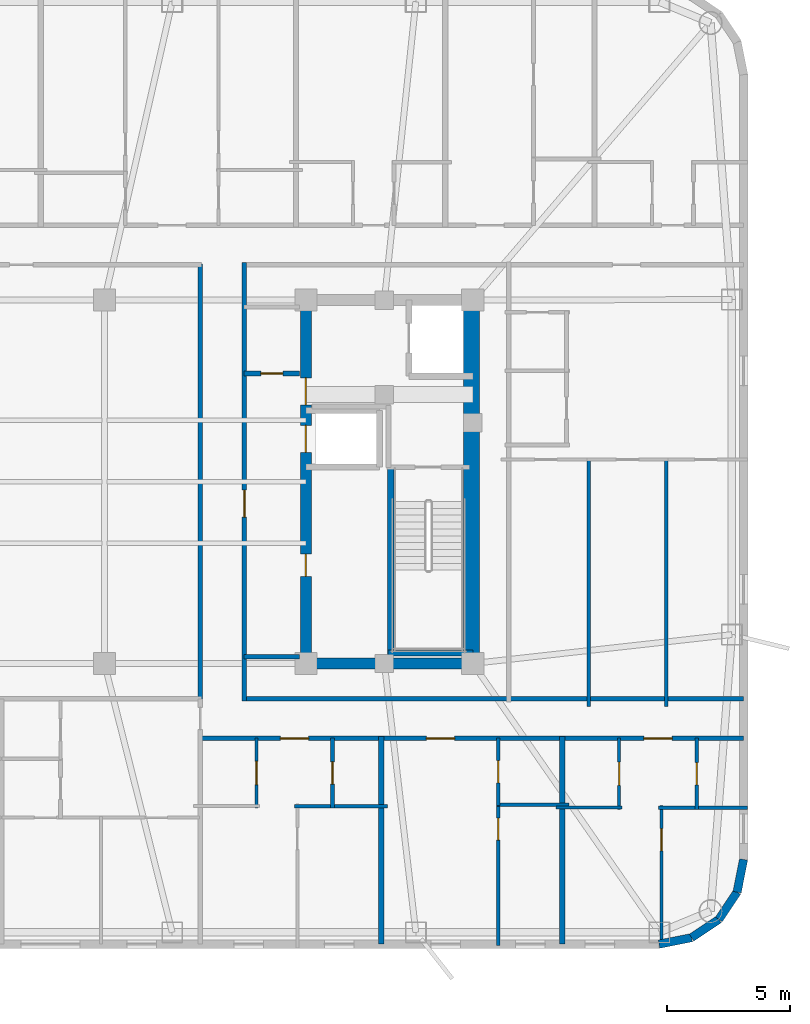
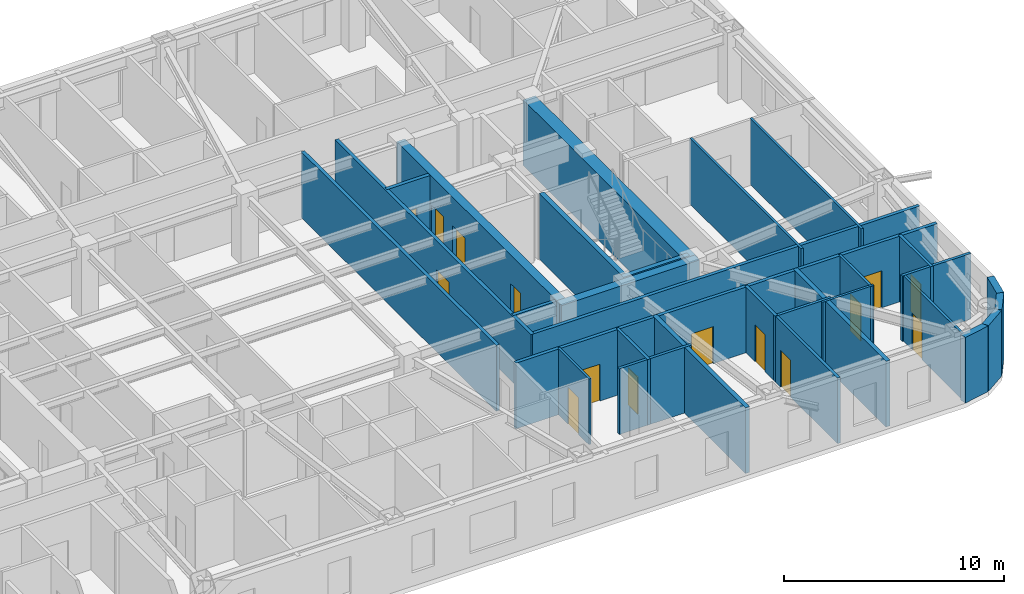
# One storey, part 6 of 11: 30 walls, 15 doors, 15 openings.
"""IFC4 building model written with IfcOpenShell, lengths in metres."""

from ifc_helpers import new_model, si_unit, direction, frame, frame_2d, origin, place, context, subcontext, project, spatial, rectangle, extrude, material, layer, layer_set, type_object, element, fill, save


model = new_model("IFC4")

# Units and contexts
model_context = context("Model", 3, precision=1e-05, world=origin(), true_north=direction((0.0, 1.0)))
body_context = subcontext(model_context, "Body", "Model", "MODEL_VIEW")
ifc_project = project(units=[si_unit("LENGTHUNIT", "METRE"), si_unit("AREAUNIT", "SQUARE_METRE"), si_unit("VOLUMEUNIT", "CUBIC_METRE"), si_unit("PLANEANGLEUNIT", "RADIAN"), si_unit("MASSUNIT", "GRAM", prefix="KILO")], contexts=[model_context])

# Site, building, storey
site_placement = place(None, origin())
site = spatial("IfcSite", under=ifc_project, at=site_placement, CompositionType="ELEMENT")
building_placement = place(site_placement, origin())
building = spatial("IfcBuilding", under=site, at=building_placement, Name="Voryun Gate Residences", CompositionType="ELEMENT")
storey_placement = place(building_placement, frame((0.0, 0.0, 227.5)))
storey = spatial("IfcBuildingStorey", under=building, at=storey_placement, Name="L56", CompositionType="ELEMENT", Elevation=227.5)

# Wall
ifc_material_1 = material(Name="Concrete C50/60", Category="concrete")
ifc_layer_1 = layer(ifc_material_1, 0.449951171875, Name="CW_CORE_450")
ifc_layer_set_1 = layer_set([ifc_layer_1], Name="Concrete C50/60")
wall_type_1 = type_object("IfcWallType", Name="CW_CORE_450", PredefinedType="SHEAR", material=ifc_layer_set_1)
wall_1_placement = place(storey_placement, frame((12.175048828125, -7.39990234375, 0.0), z_axis=(0.0, 0.0, 1.0), x_axis=(1.0, 0.0, 0.0)))
element("IfcWall", 1, at=wall_1_placement, inside=storey, type_object=wall_type_1, Name="L56 Core shear wall CW-L56-ES", PredefinedType="SHEAR", context=body_context, shape_type="SweptSolid", body=[
    extrude(rectangle(XDim=7.25, YDim=0.449951171875, at=frame_2d((3.625, 0.0))), origin(), (0.0, 0.0, 1.0), 3.64990234375),
])

# Wall, openings, doors
wall_2_placement = place(storey_placement, frame((12.39990234375, -7.39990234375, 0.0), z_axis=(0.0, 0.0, 1.0), x_axis=(0.0, 1.0, 0.0)))
wall_2 = element("IfcWall", 2, at=wall_2_placement, inside=storey, type_object=wall_type_1, Name="L56 Core shear wall CW-L56-EW", PredefinedType="SHEAR", context=body_context, shape_type="SweptSolid", body=[
    extrude(rectangle(XDim=14.7998046875, YDim=0.449951171875, at=frame_2d((7.39990234375, 0.0))), origin(), (0.0, 0.0, 1.0), 3.64990234375),
])
opening_1_placement = place(wall_2_placement, frame((8.60009765625, 0.0, 0.0)))
opening_1 = element("IfcOpeningElement", 3, at=opening_1_placement, cuts=wall_2, Name="Opening LD2", PredefinedType="OPENING", context=body_context, shape_type="SweptSolid", body=[
    extrude(rectangle(XDim=1.10009765625, YDim=2.050048828125, at=frame_2d((0.550048828125, 1.02490234375))), frame((0.0, 0.235107421875, 0.0), z_axis=(0.0, -1.0, 0.0), x_axis=(1.0, 0.0, 0.0)), (0.0, 0.0, 1.0), 0.469970703125),
])
opening_2_placement = place(wall_2_placement, frame((10.530029296875, 0.0, 0.0)))
opening_2 = element("IfcOpeningElement", 4, at=opening_2_placement, cuts=wall_2, Name="Opening D-FD60-2", PredefinedType="OPENING", context=body_context, shape_type="SweptSolid", body=[
    extrude(rectangle(XDim=1.10009765625, YDim=2.050048828125, at=frame_2d((0.550048828125, 1.02490234375))), frame((0.0, 0.235107421875, 0.0), z_axis=(0.0, -1.0, 0.0), x_axis=(1.0, 0.0, 0.0)), (0.0, 0.0, 1.0), 0.469970703125),
])
opening_3_placement = place(wall_2_placement, frame((3.550048828125, 0.0, 0.0)))
opening_3 = element("IfcOpeningElement", 5, at=opening_3_placement, cuts=wall_2, Name="Opening D-FD60-4", PredefinedType="OPENING", context=body_context, shape_type="SweptSolid", body=[
    extrude(rectangle(XDim=0.89990234375, YDim=2.050048828125, at=frame_2d((0.449951171875, 1.02490234375))), frame((0.0, 0.235107421875, 0.0), z_axis=(0.0, -1.0, 0.0), x_axis=(1.0, 0.0, 0.0)), (0.0, 0.0, 1.0), 0.469970703125),
])
ifc_material_2 = material(Name="Painted steel fire door", Category="steel")
door_type_1 = type_object("IfcDoorType", Name="DR_FD60_FFLOB_1100", OperationType="NOTDEFINED", PredefinedType="DOOR", material=ifc_material_2)
door_1_placement = place(opening_2_placement, origin())
door_1 = element("IfcDoor", 6, at=door_1_placement, inside=storey, type_object=door_type_1, Name="Door DR-L56-CLOB-E", OperationType="SINGLE_SWING_RIGHT", OverallHeight=2.050048828125, OverallWidth=1.10009765625, PredefinedType="DOOR", context=body_context, shape_type="SweptSolid", body=[
    extrude(rectangle(XDim=1.10009765625, YDim=2.050048828125, at=frame_2d((0.550048828125, 1.02490234375))), frame((0.0, 0.02490234375, 0.0), z_axis=(0.0, -1.0, 0.0), x_axis=(1.0, 0.0, 0.0)), (0.0, 0.0, 1.0), 0.050048828125),
])
fill(opening_2, door_1)
ifc_material_3 = material(Name="Painted steel fire door", Category="steel")
door_type_2 = type_object("IfcDoorType", Name="DR_FD60_RISER_900", OperationType="NOTDEFINED", PredefinedType="DOOR", material=ifc_material_3)
door_2_placement = place(opening_3_placement, origin())
door_2 = element("IfcDoor", 7, at=door_2_placement, inside=storey, type_object=door_type_2, Name="Door DR-L56-RECE-HI", OperationType="SINGLE_SWING_RIGHT", OverallHeight=2.050048828125, OverallWidth=0.89990234375, PredefinedType="DOOR", context=body_context, shape_type="SweptSolid", body=[
    extrude(rectangle(XDim=0.89990234375, YDim=2.050048828125, at=frame_2d((0.449951171875, 1.02490234375))), frame((0.0, 0.02490234375, 0.0), z_axis=(0.0, -1.0, 0.0), x_axis=(1.0, 0.0, 0.0)), (0.0, 0.0, 1.0), 0.050048828125),
])
fill(opening_3, door_2)
ifc_material_4 = material(Name="Anodised aluminium", Category="aluminium")
door_type_3 = type_object("IfcDoorType", Name="DR_LD_PASS_1100", OperationType="NOTDEFINED", PredefinedType="DOOR", material=ifc_material_4)
door_3_placement = place(opening_1_placement, origin())
door_3 = element("IfcDoor", 8, at=door_3_placement, inside=storey, type_object=door_type_3, Name="Lift EL-P8 sliding landing door L56", OperationType="SLIDING_TO_LEFT", OverallHeight=2.050048828125, OverallWidth=1.10009765625, PredefinedType="DOOR", context=body_context, shape_type="SweptSolid", body=[
    extrude(rectangle(XDim=1.10009765625, YDim=2.050048828125, at=frame_2d((0.550048828125, 1.02490234375))), frame((0.0, 0.02490234375, 0.0), z_axis=(0.0, -1.0, 0.0), x_axis=(1.0, 0.0, 0.0)), (0.0, 0.0, 1.0), 0.050048828125),
])
fill(opening_1, door_3)

# Walls
ifc_material_5 = material(Name="Concrete C60/75", Category="concrete")
ifc_layer_2 = layer(ifc_material_5, 0.64990234375, Name="CW_CORE_650")
ifc_layer_set_2 = layer_set([ifc_layer_2], Name="Concrete C60/75")
wall_type_2 = type_object("IfcWallType", Name="CW_CORE_650", PredefinedType="SHEAR", material=ifc_layer_set_2)
wall_3_placement = place(storey_placement, frame((19.14501953125, -7.39990234375, 0.0), z_axis=(0.0, 0.0, 1.0), x_axis=(0.0, 1.0, 0.0)))
element("IfcWall", 9, at=wall_3_placement, inside=storey, type_object=wall_type_2, Name="L56 Core shear wall CW-L56-EE", PredefinedType="SHEAR", context=body_context, shape_type="SweptSolid", body=[
    extrude(rectangle(XDim=14.7998046875, YDim=0.64990234375, at=frame_2d((7.39990234375, 0.0))), origin(), (0.0, 0.0, 1.0), 3.64990234375),
])
ifc_material_6 = material(Name="Gypsum acoustic fireboard")
ifc_layer_3 = layer(ifc_material_6, 0.179931640625, Name="W_CORR_RATED_180")
ifc_layer_set_3 = layer_set([ifc_layer_3], Name="Gypsum acoustic fireboard")
wall_type_3 = type_object("IfcWallType", Name="W_CORR_RATED_180", PredefinedType="PARTITIONING", material=ifc_layer_set_3)
wall_4_placement = place(storey_placement, frame((9.8798828125, -7.1201171875, 0.0), z_axis=(0.0, 0.0, 1.0), x_axis=(1.0, 0.0, 0.0)))
element("IfcWall", 10, at=wall_4_placement, inside=storey, type_object=wall_type_3, Name="Partition wall WP-L56-PLBS-E", PredefinedType="PARTITIONING", context=body_context, shape_type="SweptSolid", body=[
    extrude(rectangle(XDim=2.27001953125, YDim=0.179931640625, at=frame_2d((1.135009765625, 0.0))), origin(), (0.0, 0.0, 1.0), 3.64990234375),
])

# Wall, opening, door
wall_5_placement = place(storey_placement, frame((9.89990234375, -8.929931640625, 0.0), z_axis=(0.0, 0.0, 1.0), x_axis=(0.0, 1.0, 0.0)))
wall_5 = element("IfcWall", 11, at=wall_5_placement, inside=storey, type_object=wall_type_3, Name="Partition wall WP-L56-PLBE-FULL", PredefinedType="PARTITIONING", context=body_context, shape_type="SweptSolid", body=[
    extrude(rectangle(XDim=17.85986328125, YDim=0.179931640625, at=frame_2d((8.929931640625, 0.0))), origin(), (0.0, 0.0, 1.0), 3.64990234375),
])
opening_4_placement = place(wall_5_placement, frame((7.487060546875, 0.0, 0.0)))
opening_4 = element("IfcOpeningElement", 12, at=opening_4_placement, cuts=wall_5, Name="Opening D-FD60-2", PredefinedType="OPENING", context=body_context, shape_type="SweptSolid", body=[
    extrude(rectangle(XDim=1.10009765625, YDim=2.050048828125, at=frame_2d((0.550048828125, 1.02490234375))), frame((0.0, 0.099853515625, 0.0), z_axis=(0.0, -1.0, 0.0), x_axis=(1.0, 0.0, 0.0)), (0.0, 0.0, 1.0), 0.199951171875),
])
door_4_placement = place(opening_4_placement, origin())
door_4 = element("IfcDoor", 13, at=door_4_placement, inside=storey, type_object=door_type_1, Name="Door DR-L56-PLBE-COR", OperationType="SINGLE_SWING_RIGHT", OverallHeight=2.050048828125, OverallWidth=1.10009765625, PredefinedType="DOOR", context=body_context, shape_type="SweptSolid", body=[
    extrude(rectangle(XDim=1.10009765625, YDim=2.050048828125, at=frame_2d((0.550048828125, 1.02490234375))), frame((0.0, 0.02490234375, 0.0), z_axis=(0.0, -1.0, 0.0), x_axis=(1.0, 0.0, 0.0)), (0.0, 0.0, 1.0), 0.050048828125),
])
fill(opening_4, door_4)

# Walls
wall_6_placement = place(storey_placement, frame((9.8798828125, -8.840087890625, 0.0), z_axis=(0.0, 0.0, 1.0), x_axis=(1.0, 0.0, 0.0)))
element("IfcWall", 14, at=wall_6_placement, inside=storey, type_object=wall_type_3, Name="Partition wall WP-L56-CWING-ES", PredefinedType="PARTITIONING", context=body_context, shape_type="SweptSolid", body=[
    extrude(rectangle(XDim=20.35009765625, YDim=0.179931640625, at=frame_2d((10.175048828125, 0.0))), origin(), (0.0, 0.0, 1.0), 3.64990234375),
])
wall_7_placement = place(storey_placement, frame((8.10009765625, -8.8798828125, 0.0), z_axis=(0.0, 0.0, 1.0), x_axis=(0.0, 1.0, 0.0)))
element("IfcWall", 15, at=wall_7_placement, inside=storey, type_object=wall_type_3, Name="Partition wall WP-L56-Z3E", PredefinedType="PARTITIONING", context=body_context, shape_type="SweptSolid", body=[
    extrude(rectangle(XDim=17.759765625, YDim=0.179931640625, at=frame_2d((8.8798828125, 0.0))), origin(), (0.0, 0.0, 1.0), 3.64990234375),
])

# Wall, openings, doors
wall_8_placement = place(storey_placement, frame((8.080078125, -10.449951171875, 0.0), z_axis=(0.0, 0.0, 1.0), x_axis=(1.0, 0.0, 0.0)))
wall_8 = element("IfcWall", 16, at=wall_8_placement, inside=storey, type_object=wall_type_3, Name="Partition wall WP-L56-SCORR-E", PredefinedType="PARTITIONING", context=body_context, shape_type="SweptSolid", body=[
    extrude(rectangle(XDim=22.14990234375, YDim=0.179931640625, at=frame_2d((11.074951171875, 0.0))), origin(), (0.0, 0.0, 1.0), 3.64990234375),
])
opening_5_placement = place(wall_8_placement, frame((3.283447265625, 0.0, 0.0)))
opening_5 = element("IfcOpeningElement", 17, at=opening_5_placement, cuts=wall_8, Name="Opening D-UNIT-1", PredefinedType="OPENING", context=body_context, shape_type="SweptSolid", body=[
    extrude(rectangle(XDim=1.14990234375, YDim=2.050048828125, at=frame_2d((0.574951171875, 1.02490234375))), frame((0.0, 0.099853515625, 0.0), z_axis=(0.0, -1.0, 0.0), x_axis=(1.0, 0.0, 0.0)), (0.0, 0.0, 1.0), 0.199951171875),
])
opening_6_placement = place(wall_8_placement, frame((9.228515625, 0.0, 0.0)))
opening_6 = element("IfcOpeningElement", 18, at=opening_6_placement, cuts=wall_8, Name="Opening D-UNIT-1", PredefinedType="OPENING", context=body_context, shape_type="SweptSolid", body=[
    extrude(rectangle(XDim=1.14990234375, YDim=2.050048828125, at=frame_2d((0.574951171875, 1.02490234375))), frame((0.0, 0.099853515625, 0.0), z_axis=(0.0, -1.0, 0.0), x_axis=(1.0, 0.0, 0.0)), (0.0, 0.0, 1.0), 0.199951171875),
])
opening_7_placement = place(wall_8_placement, frame((18.084228515625, 0.0, 0.0)))
opening_7 = element("IfcOpeningElement", 19, at=opening_7_placement, cuts=wall_8, Name="Opening D-UNIT-1", PredefinedType="OPENING", context=body_context, shape_type="SweptSolid", body=[
    extrude(rectangle(XDim=1.14990234375, YDim=2.050048828125, at=frame_2d((0.574951171875, 1.02490234375))), frame((0.0, 0.099853515625, 0.0), z_axis=(0.0, -1.0, 0.0), x_axis=(1.0, 0.0, 0.0)), (0.0, 0.0, 1.0), 0.199951171875),
])
ifc_material_7 = material(Name="Armoured timber-clad fire door", Category="wood")
door_type_4 = type_object("IfcDoorType", Name="DR_UNIT_ENTRY_1150", OperationType="NOTDEFINED", PredefinedType="DOOR", material=ifc_material_7)
door_5_placement = place(opening_5_placement, origin())
door_5 = element("IfcDoor", 20, at=door_5_placement, inside=storey, type_object=door_type_4, Name="Door DR-L56-SENT-5", OperationType="SINGLE_SWING_RIGHT", OverallHeight=2.050048828125, OverallWidth=1.14990234375, PredefinedType="DOOR", context=body_context, shape_type="SweptSolid", body=[
    extrude(rectangle(XDim=1.14990234375, YDim=2.050048828125, at=frame_2d((0.574951171875, 1.02490234375))), frame((0.0, 0.02490234375, 0.0), z_axis=(0.0, -1.0, 0.0), x_axis=(1.0, 0.0, 0.0)), (0.0, 0.0, 1.0), 0.050048828125),
])
fill(opening_5, door_5)
door_6_placement = place(opening_6_placement, origin())
door_6 = element("IfcDoor", 21, at=door_6_placement, inside=storey, type_object=door_type_4, Name="Door DR-L56-SENT-6", OperationType="SINGLE_SWING_LEFT", OverallHeight=2.050048828125, OverallWidth=1.14990234375, PredefinedType="DOOR", context=body_context, shape_type="SweptSolid", body=[
    extrude(rectangle(XDim=1.14990234375, YDim=2.050048828125, at=frame_2d((0.574951171875, 1.02490234375))), frame((0.0, 0.02490234375, 0.0), z_axis=(0.0, -1.0, 0.0), x_axis=(1.0, 0.0, 0.0)), (0.0, 0.0, 1.0), 0.050048828125),
])
fill(opening_6, door_6)
door_7_placement = place(opening_7_placement, origin())
door_7 = element("IfcDoor", 22, at=door_7_placement, inside=storey, type_object=door_type_4, Name="Door DR-L56-SENT-7", OperationType="SINGLE_SWING_RIGHT", OverallHeight=2.050048828125, OverallWidth=1.14990234375, PredefinedType="DOOR", context=body_context, shape_type="SweptSolid", body=[
    extrude(rectangle(XDim=1.14990234375, YDim=2.050048828125, at=frame_2d((0.574951171875, 1.02490234375))), frame((0.0, 0.02490234375, 0.0), z_axis=(0.0, -1.0, 0.0), x_axis=(1.0, 0.0, 0.0)), (0.0, 0.0, 1.0), 0.050048828125),
])
fill(opening_7, door_7)

# Walls
ifc_material_8 = material(Name="Charcoal terracotta masonry", Category="masonry")
ifc_layer_4 = layer(ifc_material_8, 0.340087890625, Name="W_EXT_TERRACOTTA_340")
ifc_layer_set_4 = layer_set([ifc_layer_4], Name="Charcoal terracotta masonry")
wall_type_4 = type_object("IfcWallType", Name="W_EXT_TERRACOTTA_340", PredefinedType="ELEMENTEDWALL", material=ifc_layer_set_4)
wall_9_placement = place(storey_placement, frame((30.22998046875, -15.38330078125, 0.0), z_axis=(0.0, 0.0, 1.0), x_axis=(-0.195110379894, -0.98078129043, 0.0)))
element("IfcWall", 23, at=wall_9_placement, inside=storey, type_object=wall_type_4, Name="Exterior wall WEXT-L56-17", PredefinedType="ELEMENTEDWALL", context=body_context, shape_type="SweptSolid", body=[
    extrude(rectangle(XDim=1.35400390625, YDim=0.340087890625, at=frame_2d((0.677001953125, 0.0))), origin(), (0.0, 0.0, 1.0), 3.64990234375),
])
wall_10_placement = place(storey_placement, frame((29.9658203125, -16.711181640625, 0.0), z_axis=(0.0, 0.0, 1.0), x_axis=(-0.555584683399, -0.831459956686, 0.0)))
element("IfcWall", 24, at=wall_10_placement, inside=storey, type_object=wall_type_4, Name="Exterior wall WEXT-L56-18", PredefinedType="ELEMENTEDWALL", context=body_context, shape_type="SweptSolid", body=[
    extrude(rectangle(XDim=1.337158203125, YDim=0.340087890625, at=frame_2d((0.66845703125, 0.0))), origin(), (0.0, 0.0, 1.0), 3.64990234375),
])
wall_11_placement = place(storey_placement, frame((29.222900390625, -17.822998046875, 0.0), z_axis=(0.0, 0.0, 1.0), x_axis=(-0.831403586725, -0.555669034571, 0.0)))
element("IfcWall", 25, at=wall_11_placement, inside=storey, type_object=wall_type_4, Name="Exterior wall WEXT-L56-19", PredefinedType="ELEMENTEDWALL", context=body_context, shape_type="SweptSolid", body=[
    extrude(rectangle(XDim=1.3369140625, YDim=0.340087890625, at=frame_2d((0.66845703125, 0.0))), origin(), (0.0, 0.0, 1.0), 3.64990234375),
])
wall_12_placement = place(storey_placement, frame((28.111328125, -18.56591796875, 0.0), z_axis=(0.0, 0.0, 1.0), x_axis=(-0.980788153188, -0.195075878998, 0.0)))
element("IfcWall", 26, at=wall_12_placement, inside=storey, type_object=wall_type_4, Name="Exterior wall WEXT-L56-20", PredefinedType="ELEMENTEDWALL", context=body_context, shape_type="SweptSolid", body=[
    extrude(rectangle(XDim=1.354248046875, YDim=0.340087890625, at=frame_2d((0.67724609375, 0.0))), origin(), (0.0, 0.0, 1.0), 3.64990234375),
])

# Wall, opening, door
ifc_material_9 = material(Name="Concrete C40/50", Category="concrete")
ifc_layer_5 = layer(ifc_material_9, 0.199951171875, Name="W_FF_LOBBY_200")
ifc_layer_set_5 = layer_set([ifc_layer_5], Name="Concrete C40/50")
wall_type_5 = type_object("IfcWallType", Name="W_FF_LOBBY_200", PredefinedType="PARTITIONING", material=ifc_layer_set_5)
wall_13_placement = place(storey_placement, frame((9.8798828125, 4.409912109375, 0.0), z_axis=(0.0, 0.0, 1.0), x_axis=(1.0, 0.0, 0.0)))
wall_13 = element("IfcWall", 27, at=wall_13_placement, inside=storey, type_object=wall_type_5, Name="Partition wall WP-L56-CSFLKS-E", PredefinedType="PARTITIONING", context=body_context, shape_type="SweptSolid", body=[
    extrude(rectangle(XDim=2.27001953125, YDim=0.199951171875, at=frame_2d((1.135009765625, 0.0))), origin(), (0.0, 0.0, 1.0), 3.64990234375),
])
opening_8_placement = place(wall_13_placement, frame((0.68505859375, 0.0, 0.0)))
opening_8 = element("IfcOpeningElement", 28, at=opening_8_placement, cuts=wall_13, Name="Opening D-FD60-4", PredefinedType="OPENING", context=body_context, shape_type="SweptSolid", body=[
    extrude(rectangle(XDim=0.89990234375, YDim=2.050048828125, at=frame_2d((0.449951171875, 1.02490234375))), frame((0.0, 0.110107421875, 0.0), z_axis=(0.0, -1.0, 0.0), x_axis=(1.0, 0.0, 0.0)), (0.0, 0.0, 1.0), 0.219970703125),
])
door_8_placement = place(opening_8_placement, origin())
door_8 = element("IfcDoor", 29, at=door_8_placement, inside=storey, type_object=door_type_2, Name="Door DR-L56-CSFLK-E", OperationType="SINGLE_SWING_RIGHT", OverallHeight=2.050048828125, OverallWidth=0.89990234375, PredefinedType="DOOR", context=body_context, shape_type="SweptSolid", body=[
    extrude(rectangle(XDim=0.89990234375, YDim=2.050048828125, at=frame_2d((0.449951171875, 1.02490234375))), frame((0.0, 0.02490234375, 0.0), z_axis=(0.0, -1.0, 0.0), x_axis=(1.0, 0.0, 0.0)), (0.0, 0.0, 1.0), 0.050048828125),
])
fill(opening_8, door_8)

# Walls
ifc_material_10 = material(Name="Concrete C40/50", Category="concrete")
ifc_layer_6 = layer(ifc_material_10, 0.219970703125, Name="W_PARTY_ACOUSTIC_220")
ifc_layer_set_6 = layer_set([ifc_layer_6], Name="Concrete C40/50")
wall_type_6 = type_object("IfcWallType", Name="W_PARTY_ACOUSTIC_220", PredefinedType="PARTITIONING", material=ifc_layer_set_6)
for number, where, z_axis, x_axis, name in (
    (30, (15.466064453125, -18.830078125, 0.0), (0.0, 0.0, 1.0), (0.0, 1.0, 0.0), "Partition wall WP-L56-SPTY-5"),
    (31, (22.85107421875, -18.830078125, 0.0), (0.0, 0.0, 1.0), (0.0, 1.0, 0.0), "Partition wall WP-L56-SPTY-6"),
):
    element("IfcWall", number, at=place(storey_placement, frame(where, z_axis=z_axis, x_axis=x_axis)), inside=storey, type_object=wall_type_6, Name=name, PredefinedType="PARTITIONING", context=body_context, shape_type="SweptSolid", body=[
        extrude(rectangle(XDim=8.4599609375, YDim=0.219970703125, at=frame_2d((4.22998046875, 0.0))), origin(), (0.0, 0.0, 1.0), 3.64990234375),
    ])
ifc_material_11 = material(Name="Concrete C50/60", Category="concrete")
ifc_layer_7 = layer(ifc_material_11, 0.25, Name="W_SHAFT_RC250")
ifc_layer_set_7 = layer_set([ifc_layer_7], Name="Concrete C50/60")
wall_type_7 = type_object("IfcWallType", Name="W_SHAFT_RC250", PredefinedType="SOLIDWALL", material=ifc_layer_set_7)
wall_14_placement = place(storey_placement, frame((15.860107421875, -7.0849609375, 0.0), z_axis=(0.0, 0.0, 1.0), x_axis=(0.0, 1.0, 0.0)))
element("IfcWall", 32, at=wall_14_placement, inside=storey, type_object=wall_type_7, Name="L56 Stair shaft structural wall E-STL", PredefinedType="SOLIDWALL", context=body_context, shape_type="SweptSolid", body=[
    extrude(rectangle(XDim=7.68505859375, YDim=0.25, at=frame_2d((3.842529296875, 0.0))), origin(), (0.0, 0.0, 1.0), 3.64990234375),
])
wall_15_placement = place(storey_placement, frame((15.739990234375, -6.965087890625, 0.0), z_axis=(0.0, 0.0, 1.0), x_axis=(1.0, 0.0, 0.0)))
element("IfcWall", 33, at=wall_15_placement, inside=storey, type_object=wall_type_7, Name="L56 Stair shaft structural wall E-STS", PredefinedType="SOLIDWALL", context=body_context, shape_type="SweptSolid", body=[
    extrude(rectangle(XDim=3.4599609375, YDim=0.25, at=frame_2d((1.72998046875, 0.0))), origin(), (0.0, 0.0, 1.0), 3.64990234375),
])

# Wall, opening, door
ifc_material_12 = material(Name="Gypsum acoustic partition")
ifc_layer_8 = layer(ifc_material_12, 0.125, Name="W_UNIT_PART_125")
ifc_layer_set_8 = layer_set([ifc_layer_8], Name="Gypsum acoustic partition")
wall_type_8 = type_object("IfcWallType", Name="W_UNIT_PART_125", PredefinedType="PARTITIONING", material=ifc_layer_set_8)
wall_16_placement = place(storey_placement, frame((10.389892578125, -13.2900390625, 0.0), z_axis=(0.0, 0.0, 1.0), x_axis=(0.0, 1.0, 0.0)))
wall_16 = element("IfcWall", 34, at=wall_16_placement, inside=storey, type_object=wall_type_8, Name="Partition wall WP-L56-S5-IVK", PredefinedType="PARTITIONING", context=body_context, shape_type="SweptSolid", body=[
    extrude(rectangle(XDim=2.860107421875, YDim=0.125, at=frame_2d((1.43017578125, 0.0))), origin(), (0.0, 0.0, 1.0), 3.64990234375),
])
opening_9_placement = place(wall_16_placement, frame((0.955078125, 0.0, 0.0)))
opening_9 = element("IfcOpeningElement", 35, at=opening_9_placement, cuts=wall_16, Name="Opening D-INT-1", PredefinedType="OPENING", context=body_context, shape_type="SweptSolid", body=[
    extrude(rectangle(XDim=0.949951171875, YDim=2.050048828125, at=frame_2d((0.47509765625, 1.02490234375))), frame((0.0, 0.072509765625, 0.0), z_axis=(0.0, -1.0, 0.0), x_axis=(1.0, 0.0, 0.0)), (0.0, 0.0, 1.0), 0.14501953125),
])
ifc_material_13 = material(Name="Architectural oak veneer")
door_type_5 = type_object("IfcDoorType", Name="DR_INT_ROOM_950", OperationType="NOTDEFINED", PredefinedType="DOOR", material=ifc_material_13)
door_9_placement = place(opening_9_placement, origin())
door_9 = element("IfcDoor", 36, at=door_9_placement, inside=storey, type_object=door_type_5, Name="Door DR-L56-S5-DK", OperationType="SINGLE_SWING_LEFT", OverallHeight=2.050048828125, OverallWidth=0.949951171875, PredefinedType="DOOR", context=body_context, shape_type="SweptSolid", body=[
    extrude(rectangle(XDim=0.949951171875, YDim=2.050048828125, at=frame_2d((0.47509765625, 1.02490234375))), frame((0.0, 0.02490234375, 0.0), z_axis=(0.0, -1.0, 0.0), x_axis=(1.0, 0.0, 0.0)), (0.0, 0.0, 1.0), 0.050048828125),
])
fill(opening_9, door_9)

wall_17_placement = place(storey_placement, frame((26.886962890625, -18.96240234375, 0.0), z_axis=(0.0, 0.0, 1.0), x_axis=(0.0, 1.0, 0.0)))
wall_17 = element("IfcWall", 37, at=wall_17_placement, inside=storey, type_object=wall_type_8, Name="Partition wall WP-L56-S7-OVR", PredefinedType="PARTITIONING", context=body_context, shape_type="SweptSolid", body=[
    extrude(rectangle(XDim=5.769287109375, YDim=0.125, at=frame_2d((2.884765625, 0.0))), origin(), (0.0, 0.0, 1.0), 3.64990234375),
])
opening_10_placement = place(wall_17_placement, frame((3.934814453125, 0.0, 0.0)))
opening_10 = element("IfcOpeningElement", 38, at=opening_10_placement, cuts=wall_17, Name="Opening D-INT-2", PredefinedType="OPENING", context=body_context, shape_type="SweptSolid", body=[
    extrude(rectangle(XDim=0.89990234375, YDim=2.050048828125, at=frame_2d((0.449951171875, 1.02490234375))), frame((0.0, 0.072509765625, 0.0), z_axis=(0.0, -1.0, 0.0), x_axis=(1.0, 0.0, 0.0)), (0.0, 0.0, 1.0), 0.14501953125),
])
ifc_material_14 = material(Name="Architectural oak veneer")
door_type_6 = type_object("IfcDoorType", Name="DR_INT_BATH_900", OperationType="NOTDEFINED", PredefinedType="DOOR", material=ifc_material_14)
door_10_placement = place(opening_10_placement, origin())
door_10 = element("IfcDoor", 39, at=door_10_placement, inside=storey, type_object=door_type_6, Name="Door DR-L56-S7-DMB", OperationType="SINGLE_SWING_RIGHT", OverallHeight=2.050048828125, OverallWidth=0.89990234375, PredefinedType="DOOR", context=body_context, shape_type="SweptSolid", body=[
    extrude(rectangle(XDim=0.89990234375, YDim=2.050048828125, at=frame_2d((0.449951171875, 1.02490234375))), frame((0.0, 0.02490234375, 0.0), z_axis=(0.0, -1.0, 0.0), x_axis=(1.0, 0.0, 0.0)), (0.0, 0.0, 1.0), 0.050048828125),
])
fill(opening_10, door_10)

wall_18_placement = place(storey_placement, frame((25.160888671875, -13.35302734375, 0.0), z_axis=(0.0, 0.0, 1.0), x_axis=(0.0, 1.0, 0.0)))
wall_18 = element("IfcWall", 40, at=wall_18_placement, inside=storey, type_object=wall_type_8, Name="Partition wall WP-L56-S7-IVK", PredefinedType="PARTITIONING", context=body_context, shape_type="SweptSolid", body=[
    extrude(rectangle(XDim=2.923095703125, YDim=0.125, at=frame_2d((1.46142578125, 0.0))), origin(), (0.0, 0.0, 1.0), 3.64990234375),
])
opening_11_placement = place(wall_18_placement, frame((0.986572265625, 0.0, 0.0)))
opening_11 = element("IfcOpeningElement", 41, at=opening_11_placement, cuts=wall_18, Name="Opening D-INT-1", PredefinedType="OPENING", context=body_context, shape_type="SweptSolid", body=[
    extrude(rectangle(XDim=0.949951171875, YDim=2.050048828125, at=frame_2d((0.47509765625, 1.02490234375))), frame((0.0, 0.072509765625, 0.0), z_axis=(0.0, -1.0, 0.0), x_axis=(1.0, 0.0, 0.0)), (0.0, 0.0, 1.0), 0.14501953125),
])
door_11_placement = place(opening_11_placement, origin())
door_11 = element("IfcDoor", 42, at=door_11_placement, inside=storey, type_object=door_type_5, Name="Door DR-L56-S7-DK", OperationType="SINGLE_SWING_LEFT", OverallHeight=2.050048828125, OverallWidth=0.949951171875, PredefinedType="DOOR", context=body_context, shape_type="SweptSolid", body=[
    extrude(rectangle(XDim=0.949951171875, YDim=2.050048828125, at=frame_2d((0.47509765625, 1.02490234375))), frame((0.0, 0.02490234375, 0.0), z_axis=(0.0, -1.0, 0.0), x_axis=(1.0, 0.0, 0.0)), (0.0, 0.0, 1.0), 0.050048828125),
])
fill(opening_11, door_11)

# Walls
wall_19_placement = place(storey_placement, frame((22.591064453125, -13.27294921875, 0.0), z_axis=(0.0, 0.0, 1.0), x_axis=(1.0, 0.0, 0.0)))
element("IfcWall", 43, at=wall_19_placement, inside=storey, type_object=wall_type_8, Name="Partition wall WP-L56-S7-HZK", PredefinedType="PARTITIONING", context=body_context, shape_type="SweptSolid", body=[
    extrude(rectangle(XDim=2.68994140625, YDim=0.125, at=frame_2d((1.344970703125, 0.0))), origin(), (0.0, 0.0, 1.0), 3.64990234375),
])
for number, where, z_axis, x_axis, name in (
    (44, (27.080078125, -9.159912109375, 0.0), (0.0, 0.0, 1.0), (0.0, 1.0, 0.0), "Partition wall WP-L56-E1-VMB2"),
    (45, (23.923095703125, -9.159912109375, 0.0), (0.0, 0.0, 1.0), (0.0, 1.0, 0.0), "Partition wall WP-L56-E1-VMB"),
):
    element("IfcWall", number, at=place(storey_placement, frame(where, z_axis=z_axis, x_axis=x_axis)), inside=storey, type_object=wall_type_8, Name=name, PredefinedType="PARTITIONING", context=body_context, shape_type="SweptSolid", body=[
        extrude(rectangle(XDim=10.1298828125, YDim=0.125, at=frame_2d((5.06494140625, 0.0))), origin(), (0.0, 0.0, 1.0), 3.64990234375),
    ])
ifc_material_15 = material(Name="Gypsum moisture-resistant partition")
ifc_layer_9 = layer(ifc_material_15, 0.14990234375, Name="W_WET_PLUMB_150")
ifc_layer_set_9 = layer_set([ifc_layer_9], Name="Gypsum moisture-resistant partition")
wall_type_9 = type_object("IfcWallType", Name="W_WET_PLUMB_150", PredefinedType="PLUMBINGWALL", material=ifc_layer_set_9)
wall_20_placement = place(storey_placement, frame((11.93603515625, -13.2099609375, 0.0), z_axis=(0.0, 0.0, 1.0), x_axis=(1.0, 0.0, 0.0)))
element("IfcWall", 46, at=wall_20_placement, inside=storey, type_object=wall_type_9, Name="Partition wall WP-L56-S5-HZB", PredefinedType="PLUMBINGWALL", context=body_context, shape_type="SweptSolid", body=[
    extrude(rectangle(XDim=3.7900390625, YDim=0.14990234375, at=frame_2d((1.89501953125, 0.0))), origin(), (0.0, 0.0, 1.0), 3.64990234375),
])

# Wall, opening, door
wall_21_placement = place(storey_placement, frame((13.486083984375, -13.2900390625, 0.0), z_axis=(0.0, 0.0, 1.0), x_axis=(0.0, 1.0, 0.0)))
wall_21 = element("IfcWall", 47, at=wall_21_placement, inside=storey, type_object=wall_type_9, Name="Partition wall WP-L56-S5-IVB", PredefinedType="PLUMBINGWALL", context=body_context, shape_type="SweptSolid", body=[
    extrude(rectangle(XDim=2.860107421875, YDim=0.14990234375, at=frame_2d((1.43017578125, 0.0))), origin(), (0.0, 0.0, 1.0), 3.64990234375),
])
opening_12_placement = place(wall_21_placement, frame((0.97998046875, 0.0, 0.0)))
opening_12 = element("IfcOpeningElement", 48, at=opening_12_placement, cuts=wall_21, Name="Opening D-INT-2", PredefinedType="OPENING", context=body_context, shape_type="SweptSolid", body=[
    extrude(rectangle(XDim=0.89990234375, YDim=2.050048828125, at=frame_2d((0.449951171875, 1.02490234375))), frame((0.0, 0.0849609375, 0.0), z_axis=(0.0, -1.0, 0.0), x_axis=(1.0, 0.0, 0.0)), (0.0, 0.0, 1.0), 0.169921875),
])
door_12_placement = place(opening_12_placement, origin())
door_12 = element("IfcDoor", 49, at=door_12_placement, inside=storey, type_object=door_type_6, Name="Door DR-L56-S5-DB", OperationType="SINGLE_SWING_RIGHT", OverallHeight=2.050048828125, OverallWidth=0.89990234375, PredefinedType="DOOR", context=body_context, shape_type="SweptSolid", body=[
    extrude(rectangle(XDim=0.89990234375, YDim=2.050048828125, at=frame_2d((0.449951171875, 1.02490234375))), frame((0.0, 0.02490234375, 0.0), z_axis=(0.0, -1.0, 0.0), x_axis=(1.0, 0.0, 0.0)), (0.0, 0.0, 1.0), 0.050048828125),
])
fill(opening_12, door_12)

# Wall
wall_22_placement = place(storey_placement, frame((20.160888671875, -13.14990234375, 0.0), z_axis=(0.0, 0.0, 1.0), x_axis=(1.0, 0.0, 0.0)))
element("IfcWall", 50, at=wall_22_placement, inside=storey, type_object=wall_type_9, Name="Partition wall WP-L56-S6-SKB", PredefinedType="PLUMBINGWALL", context=body_context, shape_type="SweptSolid", body=[
    extrude(rectangle(XDim=2.9501953125, YDim=0.14990234375, at=frame_2d((1.47509765625, 0.0))), origin(), (0.0, 0.0, 1.0), 3.64990234375),
])

# Wall, opening, door
wall_23_placement = place(storey_placement, frame((20.240966796875, -18.876708984375, 0.0), z_axis=(0.0, 0.0, 1.0), x_axis=(0.0, 1.0, 0.0)))
wall_23 = element("IfcWall", 51, at=wall_23_placement, inside=storey, type_object=wall_type_9, Name="Partition wall WP-L56-S6-SVT1", PredefinedType="PLUMBINGWALL", context=body_context, shape_type="SweptSolid", body=[
    extrude(rectangle(XDim=5.7666015625, YDim=0.14990234375, at=frame_2d((2.88330078125, 0.0))), origin(), (0.0, 0.0, 1.0), 3.64990234375),
])
opening_13_placement = place(wall_23_placement, frame((4.27880859375, 0.0, 0.0)))
opening_13 = element("IfcOpeningElement", 52, at=opening_13_placement, cuts=wall_23, Name="Opening D-INT-2", PredefinedType="OPENING", context=body_context, shape_type="SweptSolid", body=[
    extrude(rectangle(XDim=0.89990234375, YDim=2.050048828125, at=frame_2d((0.449951171875, 1.02490234375))), frame((0.0, 0.0849609375, 0.0), z_axis=(0.0, -1.0, 0.0), x_axis=(1.0, 0.0, 0.0)), (0.0, 0.0, 1.0), 0.169921875),
])
door_13_placement = place(opening_13_placement, origin())
door_13 = element("IfcDoor", 53, at=door_13_placement, inside=storey, type_object=door_type_6, Name="Door DR-L56-S6-DK", OperationType="SINGLE_SWING_LEFT", OverallHeight=2.050048828125, OverallWidth=0.89990234375, PredefinedType="DOOR", context=body_context, shape_type="SweptSolid", body=[
    extrude(rectangle(XDim=0.89990234375, YDim=2.050048828125, at=frame_2d((0.449951171875, 1.02490234375))), frame((0.0, 0.02490234375, 0.0), z_axis=(0.0, -1.0, 0.0), x_axis=(1.0, 0.0, 0.0)), (0.0, 0.0, 1.0), 0.050048828125),
])
fill(opening_13, door_13)

wall_24_placement = place(storey_placement, frame((20.240966796875, -13.18994140625, 0.0), z_axis=(0.0, 0.0, 1.0), x_axis=(0.0, 1.0, 0.0)))
wall_24 = element("IfcWall", 54, at=wall_24_placement, inside=storey, type_object=wall_type_9, Name="Partition wall WP-L56-S6-SVT2", PredefinedType="PLUMBINGWALL", context=body_context, shape_type="SweptSolid", body=[
    extrude(rectangle(XDim=2.760009765625, YDim=0.14990234375, at=frame_2d((1.3798828125, 0.0))), origin(), (0.0, 0.0, 1.0), 3.64990234375),
])
opening_14_placement = place(wall_24_placement, frame((0.929931640625, 0.0, 0.0)))
opening_14 = element("IfcOpeningElement", 55, at=opening_14_placement, cuts=wall_24, Name="Opening D-INT-2", PredefinedType="OPENING", context=body_context, shape_type="SweptSolid", body=[
    extrude(rectangle(XDim=0.89990234375, YDim=2.050048828125, at=frame_2d((0.449951171875, 1.02490234375))), frame((0.0, 0.0849609375, 0.0), z_axis=(0.0, -1.0, 0.0), x_axis=(1.0, 0.0, 0.0)), (0.0, 0.0, 1.0), 0.169921875),
])
door_14_placement = place(opening_14_placement, origin())
door_14 = element("IfcDoor", 56, at=door_14_placement, inside=storey, type_object=door_type_6, Name="Door DR-L56-S6-DB", OperationType="SINGLE_SWING_RIGHT", OverallHeight=2.050048828125, OverallWidth=0.89990234375, PredefinedType="DOOR", context=body_context, shape_type="SweptSolid", body=[
    extrude(rectangle(XDim=0.89990234375, YDim=2.050048828125, at=frame_2d((0.449951171875, 1.02490234375))), frame((0.0, 0.02490234375, 0.0), z_axis=(0.0, -1.0, 0.0), x_axis=(1.0, 0.0, 0.0)), (0.0, 0.0, 1.0), 0.050048828125),
])
fill(opening_14, door_14)

# Wall
wall_25_placement = place(storey_placement, frame((26.76708984375, -13.27294921875, 0.0), z_axis=(0.0, 0.0, 1.0), x_axis=(1.0, 0.0, 0.0)))
element("IfcWall", 57, at=wall_25_placement, inside=storey, type_object=wall_type_9, Name="Partition wall WP-L56-S7-HZB", PredefinedType="PLUMBINGWALL", context=body_context, shape_type="SweptSolid", body=[
    extrude(rectangle(XDim=3.61279296875, YDim=0.14990234375, at=frame_2d((1.806396484375, 0.0))), origin(), (0.0, 0.0, 1.0), 3.64990234375),
])

# Wall, opening, door
wall_26_placement = place(storey_placement, frame((28.31689453125, -13.35302734375, 0.0), z_axis=(0.0, 0.0, 1.0), x_axis=(0.0, 1.0, 0.0)))
wall_26 = element("IfcWall", 58, at=wall_26_placement, inside=storey, type_object=wall_type_9, Name="Partition wall WP-L56-S7-IVB", PredefinedType="PLUMBINGWALL", context=body_context, shape_type="SweptSolid", body=[
    extrude(rectangle(XDim=2.923095703125, YDim=0.14990234375, at=frame_2d((1.46142578125, 0.0))), origin(), (0.0, 0.0, 1.0), 3.64990234375),
])
opening_15_placement = place(wall_26_placement, frame((1.011474609375, 0.0, 0.0)))
opening_15 = element("IfcOpeningElement", 59, at=opening_15_placement, cuts=wall_26, Name="Opening D-INT-2", PredefinedType="OPENING", context=body_context, shape_type="SweptSolid", body=[
    extrude(rectangle(XDim=0.89990234375, YDim=2.050048828125, at=frame_2d((0.449951171875, 1.02490234375))), frame((0.0, 0.0849609375, 0.0), z_axis=(0.0, -1.0, 0.0), x_axis=(1.0, 0.0, 0.0)), (0.0, 0.0, 1.0), 0.169921875),
])
door_15_placement = place(opening_15_placement, origin())
door_15 = element("IfcDoor", 60, at=door_15_placement, inside=storey, type_object=door_type_6, Name="Door DR-L56-S7-DB", OperationType="SINGLE_SWING_RIGHT", OverallHeight=2.050048828125, OverallWidth=0.89990234375, PredefinedType="DOOR", context=body_context, shape_type="SweptSolid", body=[
    extrude(rectangle(XDim=0.89990234375, YDim=2.050048828125, at=frame_2d((0.449951171875, 1.02490234375))), frame((0.0, 0.02490234375, 0.0), z_axis=(0.0, -1.0, 0.0), x_axis=(1.0, 0.0, 0.0)), (0.0, 0.0, 1.0), 0.050048828125),
])
fill(opening_15, door_15)

save(model, "model.ifc")
